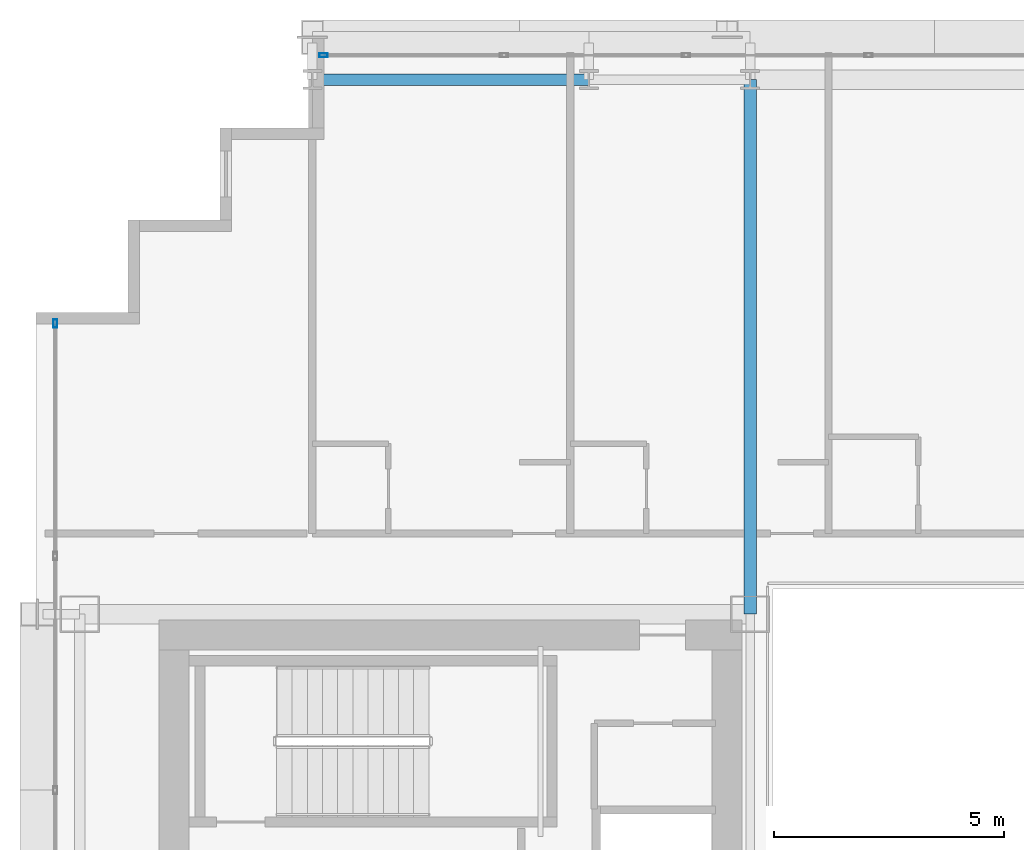
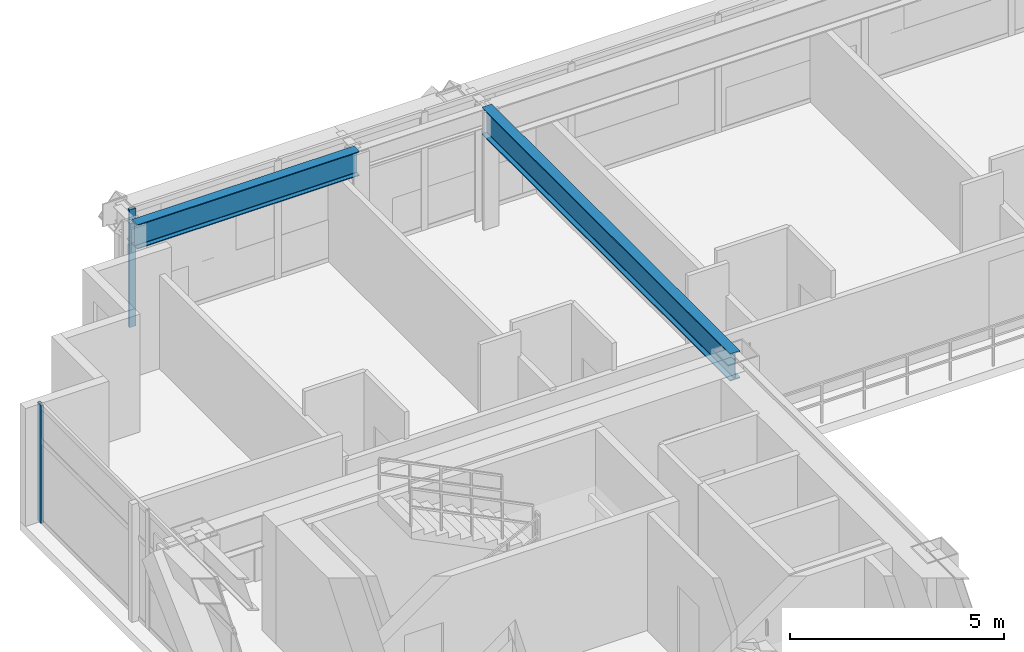
# One storey, part 17 of 35: 2 beams, 2 members, 2 elements without a shape of their own.
"""IFC4 building model written with IfcOpenShell, lengths in metres."""

from ifc_helpers import new_model, si_unit, direction, frame, origin, origin_2d, place, context, subcontext, project, spatial, hollow_rectangle, i_section, extrude, source, transform, mapped, material, layer, layer_set, material_profile, profile_set, type_object, element, aggregate, save


model = new_model("IFC4")

# Units and contexts
model_context = context("Model", 3, precision=1e-05, world=origin(), true_north=direction((0.0, 1.0)))
body_context = subcontext(model_context, "Body", "Model", "MODEL_VIEW")
ifc_project = project(units=[si_unit("LENGTHUNIT", "METRE"), si_unit("AREAUNIT", "SQUARE_METRE"), si_unit("VOLUMEUNIT", "CUBIC_METRE"), si_unit("PLANEANGLEUNIT", "RADIAN"), si_unit("MASSUNIT", "GRAM", prefix="KILO")], contexts=[model_context])

# Site, building, storey
site_placement = place(None, origin())
site = spatial("IfcSite", under=ifc_project, at=site_placement, CompositionType="ELEMENT")
building_placement = place(site_placement, origin())
building = spatial("IfcBuilding", under=site, at=building_placement, Name="Ocotamira Hotel", CompositionType="ELEMENT")
storey_placement = place(building_placement, frame((0.0, 0.0, 144.0)))
storey = spatial("IfcBuildingStorey", under=building, at=storey_placement, Name="L36", CompositionType="ELEMENT", Elevation=144.0)

# Beams
ifc_material_1 = material(Name="Steel ASTM A992 Grade 50", Category="steel")
ifc_material_profile_1 = material_profile(ifc_material_1, i_section(OverallWidth=0.256103515625, OverallDepth=0.693115234375, WebThickness=0.014404296875, FlangeThickness=0.023681640625, FilletRadius=0.01611328125, at=origin_2d()), Name="W27X114")
ifc_profile_set_1 = profile_set([ifc_material_profile_1], Name="Steel ASTM A992 Grade 50")
beam_type_1 = type_object("IfcBeamType", Name="BM-PRIM-W27X114", PredefinedType="BEAM", material=ifc_profile_set_1)
shared_shape_1 = source(origin(), body_context, "Body", "SweptSolid", [
    extrude(i_section(OverallWidth=0.256103515625, OverallDepth=0.693115234375, WebThickness=0.014404296875, FlangeThickness=0.023681640625, FilletRadius=0.01611328125, at=origin_2d()), origin(), (0.0, 0.0, 1.0), 6.0),
])
beam_1_placement = place(storey_placement, frame((14.0, 49.050048828125, 3.013427734375), z_axis=(1.0, 0.0, 0.0), x_axis=(0.0, 1.0, 0.0)))
element("IfcBeam", 1, at=beam_1_placement, inside=storey, type_object=beam_type_1, Name="L36 Girder Y49.05 X14-20", PredefinedType="BEAM", context=body_context, shape_type="MappedRepresentation", body=[
    mapped(shared_shape_1, transform((0.0, 0.0, 0.0), scale=1.0)),
])
ifc_material_profile_2 = material_profile(ifc_material_1, i_section(OverallWidth=0.26611328125, OverallDepth=0.779052734375, WebThickness=0.0166015625, FlangeThickness=0.030029296875, FilletRadius=0.01806640625, at=origin_2d()), Name="W30X148")
ifc_profile_set_2 = profile_set([ifc_material_profile_2], Name="Steel ASTM A992 Grade 50")
beam_type_2 = type_object("IfcBeamType", Name="BM-GIRD-W30X148", PredefinedType="BEAM", material=ifc_profile_set_2)
shared_shape_2 = source(origin(), body_context, "Body", "SweptSolid", [
    extrude(i_section(OverallWidth=0.26611328125, OverallDepth=0.779052734375, WebThickness=0.0166015625, FlangeThickness=0.030029296875, FilletRadius=0.01806640625, at=origin_2d()), origin(), (0.0, 0.0, 1.0), 11.60009765625),
])
beam_2_placement = place(storey_placement, frame((23.5, 37.449951171875, 2.970458984375), z_axis=(0.0, 1.0, 0.0), x_axis=(-1.0, 0.0, 0.0)))
element("IfcBeam", 2, at=beam_2_placement, inside=storey, type_object=beam_type_2, Name="L36 Beam X23.5 Y37.45-49.05", PredefinedType="BEAM", context=body_context, shape_type="MappedRepresentation", body=[
    mapped(shared_shape_2, transform((0.0, 0.0, 0.0), scale=1.0)),
])

# Curtain wall, member
ifc_material_2 = material(Name="Anodised pale-metal aluminium and solar glass", Category="aluminium")
ifc_layer = layer(ifc_material_2, 0.179931640625)
ifc_layer_set = layer_set([ifc_layer], Name="Anodised pale-metal aluminium and solar glass")
curtain_wall_type = type_object("IfcCurtainWallType", Name="CW-SYS3-Z2", PredefinedType="NOTDEFINED", material=ifc_layer_set)
curtain_wall_1_placement = place(storey_placement, origin())
curtain_wall_1 = element("IfcCurtainWall", 3, at=curtain_wall_1_placement, inside=storey, type_object=curtain_wall_type, Name="L36 Curtain Wall CW-3 CW-L36-N", PredefinedType="NOTDEFINED")
ifc_material_3 = material(Name="Anodised pale-metal aluminium 6063-T6", Category="aluminium")
ifc_material_profile_3 = material_profile(ifc_material_3, hollow_rectangle(XDim=0.080078125, YDim=0.179931640625, WallThickness=0.006103515625, at=origin_2d()), Name="HSS180X80X6")
ifc_profile_set_3 = profile_set([ifc_material_profile_3], Name="Anodised pale-metal aluminium 6063-T6")
member_type = type_object("IfcMemberType", Name="CWM-180X75", PredefinedType="MULLION", material=ifc_profile_set_3)
shared_shape_3 = source(origin(), body_context, "Body", "SweptSolid", [
    extrude(hollow_rectangle(XDim=0.080078125, YDim=0.179931640625, WallThickness=0.006103515625, at=origin_2d()), origin(), (0.0, 0.0, 1.0), 3.360107421875),
])
member_1_placement = place(storey_placement, frame((14.239990234375, 49.580078125, 0.0), z_axis=(0.0, 0.0, 1.0), x_axis=(0.0, 1.0, 0.0)))
member_1 = element("IfcMember", 4, at=member_1_placement, type_object=member_type, Name="CW-3 mullion 1", PredefinedType="MULLION", context=body_context, shape_type="MappedRepresentation", body=[
    mapped(shared_shape_3, transform((0.0, 0.0, 0.0), scale=1.0)),
])
aggregate(curtain_wall_1, [member_1])

curtain_wall_2_placement = place(storey_placement, origin())
curtain_wall_2 = element("IfcCurtainWall", 5, at=curtain_wall_2_placement, inside=storey, type_object=curtain_wall_type, Name="L36 Curtain Wall CW-3 CW-L36-W", PredefinedType="NOTDEFINED")
member_2_placement = place(storey_placement, frame((8.419921875, 43.760009765625, 0.0), z_axis=(0.0, 0.0, 1.0), x_axis=(-1.0, 0.0, 0.0)))
member_2 = element("IfcMember", 6, at=member_2_placement, type_object=member_type, Name="CW-3 mullion 8", PredefinedType="MULLION", context=body_context, shape_type="MappedRepresentation", body=[
    mapped(shared_shape_3, transform((0.0, 0.0, 0.0), scale=1.0)),
])
aggregate(curtain_wall_2, [member_2])

save(model, "model.ifc")
